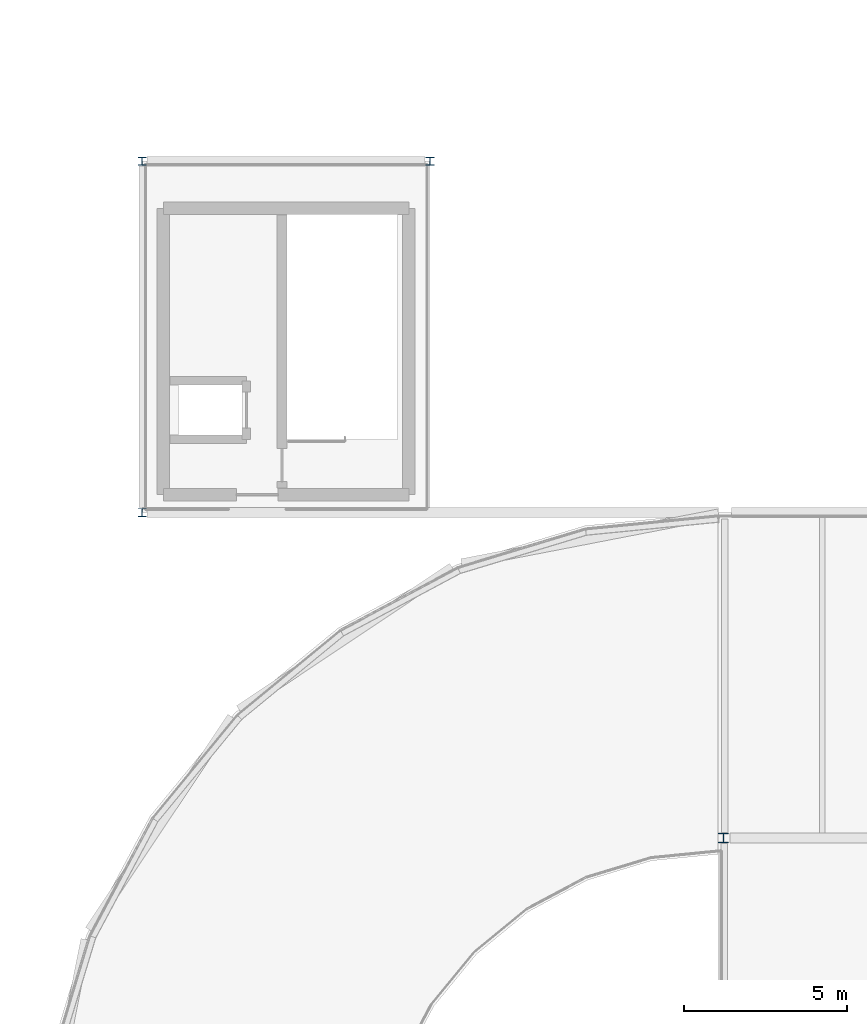
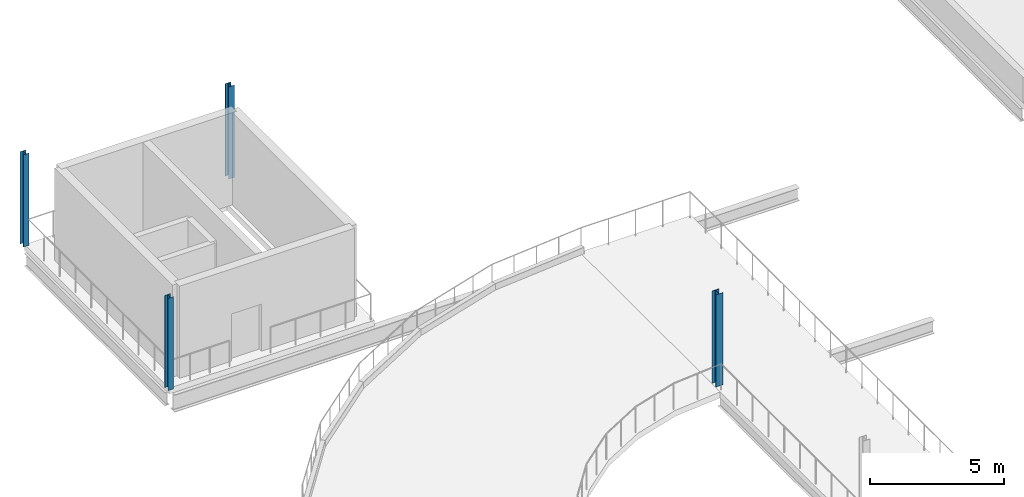
# One storey, part 5 of 58: 4 columns.
"""IFC4 building model written with IfcOpenShell, lengths in metres."""

from ifc_helpers import new_model, si_unit, direction, frame, origin, origin_2d, place, context, subcontext, project, spatial, i_section, extrude, material, material_profile, profile_set, type_object, element, save


model = new_model("IFC4")

# Units and contexts
model_context = context("Model", 3, precision=1e-05, world=origin(), true_north=direction((0.0, 1.0)))
body_context = subcontext(model_context, "Body", "Model", "MODEL_VIEW")
ifc_project = project(units=[si_unit("LENGTHUNIT", "METRE"), si_unit("AREAUNIT", "SQUARE_METRE"), si_unit("VOLUMEUNIT", "CUBIC_METRE"), si_unit("PLANEANGLEUNIT", "RADIAN"), si_unit("MASSUNIT", "GRAM", prefix="KILO")], contexts=[model_context])

# Site, building, storey
site_placement = place(None, origin())
site = spatial("IfcSite", under=ifc_project, at=site_placement, CompositionType="ELEMENT")
building_placement = place(site_placement, origin())
building = spatial("IfcBuilding", under=site, at=building_placement, Name="Yeouljin Market Hall", CompositionType="ELEMENT")
storey_placement = place(building_placement, frame((0.0, 0.0, 10.800048828125)))
storey = spatial("IfcBuildingStorey", under=building, at=storey_placement, Name="L02", CompositionType="ELEMENT", Elevation=10.800048828125)

# Columns
ifc_material_1 = material(Name="Steel SM355", Category="steel")
ifc_material_profile_1 = material_profile(ifc_material_1, i_section(OverallWidth=0.25, OverallDepth=0.25, WebThickness=0.009033203125, FlangeThickness=0.013916015625, FilletRadius=0.01611328125, at=origin_2d()), Name="H-250x250x9x14")
ifc_profile_set_1 = profile_set([ifc_material_profile_1], Name="Steel SM355")
column_type_1 = type_object("IfcColumnType", Name="Col_H-250x250x9x14", PredefinedType="COLUMN", material=ifc_profile_set_1)
for number, where, z_axis, x_axis, name in (
    (1, (17.699951171875, 78.0, 0.0), (0.0, 0.0, 1.0), (1.0, 0.0, 0.0), "Column G-02-08 (L02)"),
    (2, (17.699951171875, 88.800048828125, 0.0), (0.0, 0.0, 1.0), (1.0, 0.0, 0.0), "Column G-02-09 (L02)"),
    (3, (26.550048828125, 88.800048828125, 0.0), (0.0, 0.0, 1.0), (1.0, 0.0, 0.0), "Column G-03-09 (L02)"),
):
    element("IfcColumn", number, at=place(storey_placement, frame(where, z_axis=z_axis, x_axis=x_axis)), inside=storey, type_object=column_type_1, Name=name, PredefinedType="COLUMN", context=body_context, shape_type="SweptSolid", body=[
        extrude(i_section(OverallWidth=0.25, OverallDepth=0.25, WebThickness=0.009033203125, FlangeThickness=0.013916015625, FilletRadius=0.01611328125, at=origin_2d()), origin(), (0.0, 0.0, 1.0), 4.199951171875),
    ])
ifc_material_2 = material(Name="Steel SM355", Category="steel")
ifc_material_profile_2 = material_profile(ifc_material_2, i_section(OverallWidth=0.300048828125, OverallDepth=0.300048828125, WebThickness=0.010009765625, FlangeThickness=0.014892578125, FilletRadius=0.01806640625, at=origin_2d()), Name="H-300x300x10x15")
ifc_profile_set_2 = profile_set([ifc_material_profile_2], Name="Steel SM355")
column_type_2 = type_object("IfcColumnType", Name="Col_H-300x300x10x15", PredefinedType="COLUMN", material=ifc_profile_set_2)
column_placement = place(storey_placement, frame((35.56494140625, 68.0, 0.0), z_axis=(0.0, 0.0, 1.0), x_axis=(1.0, 0.0, 0.0)))
element("IfcColumn", 4, at=column_placement, inside=storey, type_object=column_type_2, Name="Column G-05-07 (L02)", PredefinedType="COLUMN", context=body_context, shape_type="SweptSolid", body=[
    extrude(i_section(OverallWidth=0.300048828125, OverallDepth=0.300048828125, WebThickness=0.010009765625, FlangeThickness=0.014892578125, FilletRadius=0.01806640625, at=origin_2d()), origin(), (0.0, 0.0, 1.0), 4.199951171875),
])

save(model, "model.ifc")
